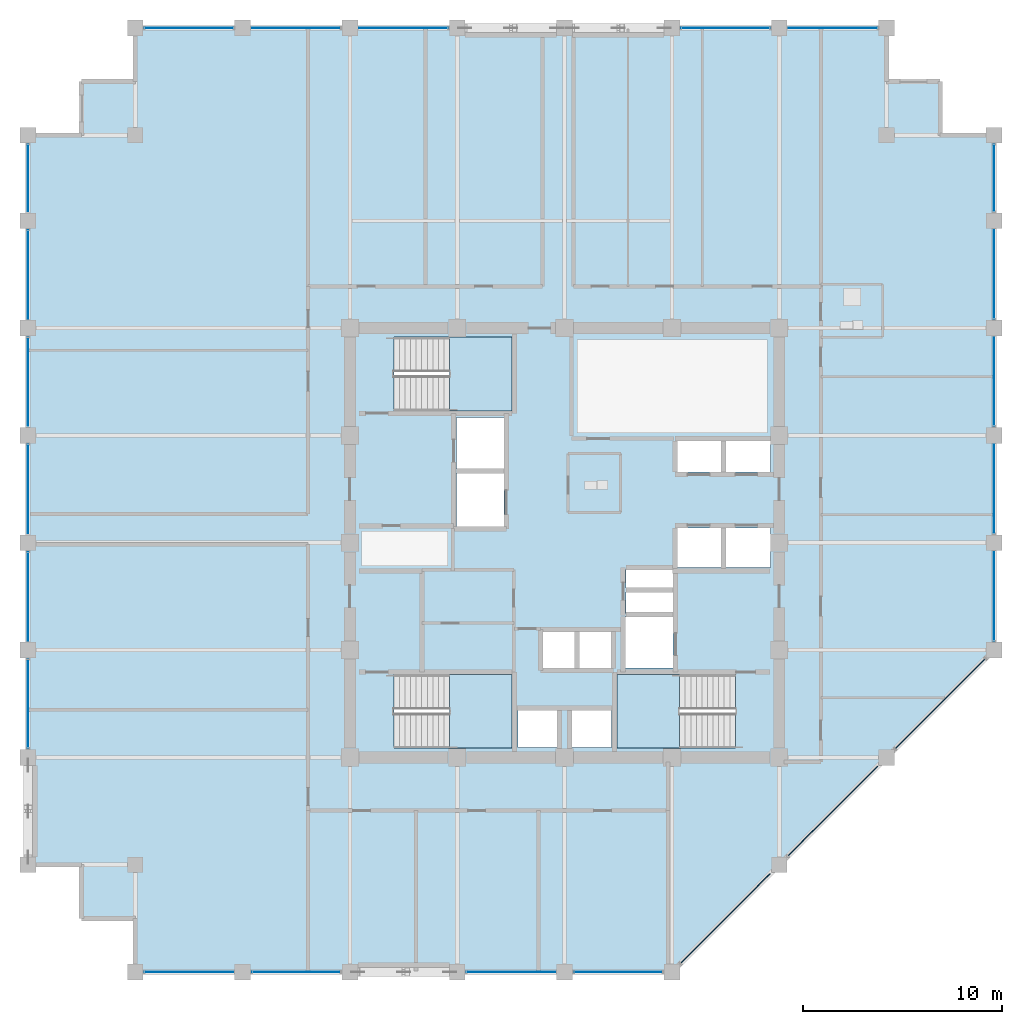
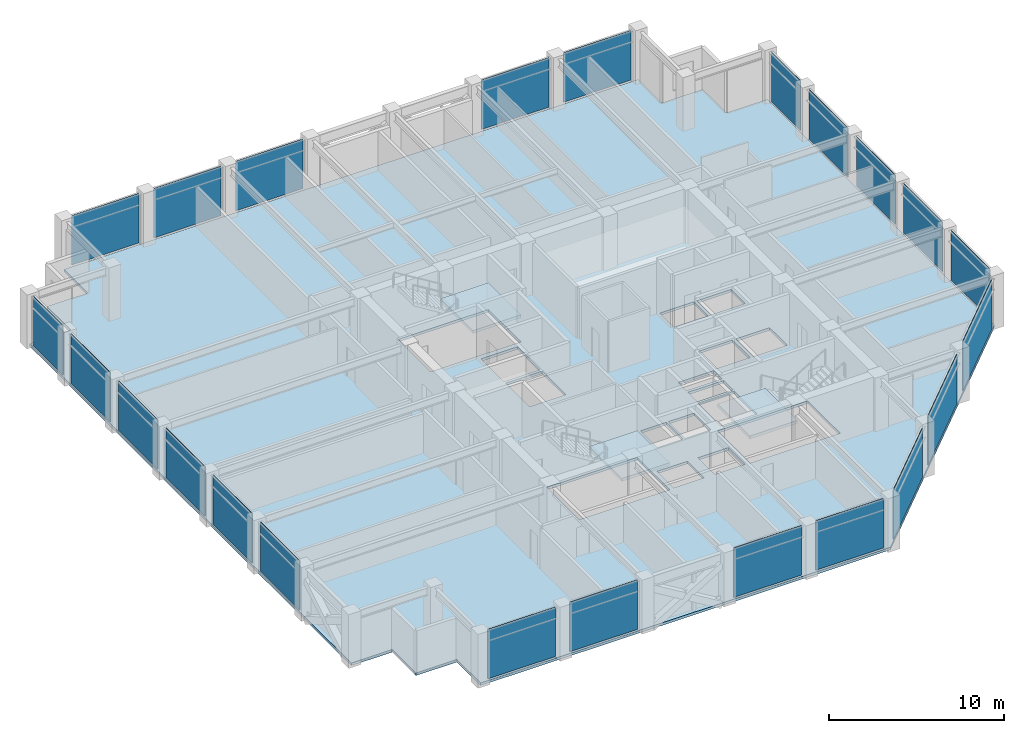
# One storey, part 26 of 32: 23 plates, 4 slabs, 10 elements without a shape of their own.
"""IFC4 building model written with IfcOpenShell, lengths in metres."""

import ifcopenshell
import ifcopenshell.guid

model = None  # the IFC model being written
_history = None  # IfcOwnerHistory: only IFC2X3 demands one
_inside = {}  # id of a spatial element -> (the spatial element, [elements in it])
_under = {}  # id of a project, library or spatial element -> (it, [spatial elements below it])
_declared = {}  # id of a project -> (the project, [libraries it declares])
_typed = {}  # id of a type object -> (the type object, [elements of that type])
_made_of = {}  # id of a material, layer set ... -> (it, [elements and type objects made of it])


def new_model(schema):
    """Start an empty IFC model of exactly this schema.

    Asked for "IFC4X3", IfcOpenShell would pick the latest addendum, in which some entities
    have other attributes; the version numbers below select the first issue.
    IFC2X3 requires an IfcOwnerHistory on every rooted entity: one is made here for all.
    """
    global model, _history
    if schema == "IFC4X3":
        model = ifcopenshell.file(schema_version=(4, 3, 0, 0))
    else:
        model = ifcopenshell.file(schema=schema)
    _inside.clear()
    _under.clear()
    _declared.clear()
    _typed.clear()
    _made_of.clear()
    _history = None
    if model.schema == "IFC2X3":
        org = make("IfcOrganization", Name="unknown")
        user = make(
            "IfcPersonAndOrganization",
            ThePerson=make("IfcPerson", FamilyName="unknown"),
            TheOrganization=org,
        )
        app = make(
            "IfcApplication",
            ApplicationDeveloper=org,
            Version="unknown",
            ApplicationFullName="unknown",
            ApplicationIdentifier="unknown",
        )
        _history = make(
            "IfcOwnerHistory",
            OwningUser=user,
            OwningApplication=app,
            ChangeAction="ADDED",
            CreationDate=0,
        )
    return model


def make(cls, **values):
    """One entity of the class cls with the attributes given. An attribute that is None is left unset."""
    return model.create_entity(
        cls, **{name: value for name, value in values.items() if value is not None}
    )


def rooted(cls, **values):
    """An entity with a GlobalId (a new one), such as an element, a storey or a relation."""
    return make(cls, GlobalId=ifcopenshell.guid.new(), OwnerHistory=_history, **values)


def si_unit(unit_type, name, prefix=None):
    """IfcSIUnit, for example si_unit("LENGTHUNIT", "METRE", prefix="MILLI")."""
    return make("IfcSIUnit", UnitType=unit_type, Prefix=prefix, Name=name)


def assignment(units):
    """IfcUnitAssignment: the units of a project."""
    return None if units is None else make("IfcUnitAssignment", Units=units)


def point(xyz):
    """IfcCartesianPoint."""
    return None if xyz is None else make("IfcCartesianPoint", Coordinates=xyz)


def direction(xyz):
    """IfcDirection."""
    return None if xyz is None else make("IfcDirection", DirectionRatios=xyz)


def frame(location, z_axis=None, x_axis=None):
    """IfcAxis2Placement3D, a coordinate frame: its origin and axes. An axis left out is left unset."""
    return make(
        "IfcAxis2Placement3D",
        Location=point(location),
        Axis=direction(z_axis),
        RefDirection=direction(x_axis),
    )


def frame_2d(location, x_axis=None):
    """IfcAxis2Placement2D, a coordinate frame in the plane: its origin and x axis."""
    return make(
        "IfcAxis2Placement2D", Location=point(location), RefDirection=direction(x_axis)
    )


def origin():
    """The frame at (0, 0, 0) with its axes left unset."""
    return frame((0.0, 0.0, 0.0))


def place(relative_to, where):
    """IfcLocalPlacement: puts the frame where relative to a parent placement (None: the world)."""
    return make(
        "IfcLocalPlacement", PlacementRelTo=relative_to, RelativePlacement=where
    )


def context(
    kind, dimensions, precision=None, world=None, true_north=None, identifier=None
):
    """IfcGeometricRepresentationContext, for example the 3D "Model" context."""
    return make(
        "IfcGeometricRepresentationContext",
        ContextIdentifier=identifier,
        ContextType=kind,
        CoordinateSpaceDimension=dimensions,
        Precision=precision,
        WorldCoordinateSystem=world,
        TrueNorth=true_north,
    )


def subcontext(parent, identifier, kind, view, scale=None):
    """IfcGeometricRepresentationSubContext, for example "Body" below "Model"."""
    return make(
        "IfcGeometricRepresentationSubContext",
        ContextIdentifier=identifier,
        ContextType=kind,
        ParentContext=parent,
        TargetScale=scale,
        TargetView=view,
    )


def project(units=None, contexts=None):
    """IfcProject with its units and contexts."""
    return rooted(
        "IfcProject",
        Name="project",
        RepresentationContexts=contexts,
        UnitsInContext=assignment(units),
    )


def spatial(cls, under=None, at=None, **own):
    """A site, building, storey or space (cls), placed at a placement, below another one or the project."""
    s = rooted(cls, ObjectPlacement=at, **own)
    if under is not None:
        _under.setdefault(under.id(), (under, []))[1].append(s)
    return s


def polyline(points):
    """IfcPolyline through the points."""
    return make("IfcPolyline", Points=[point(p) for p in points])


def profile(cls, at=None, kind="AREA", **sizes):
    """A parametric profile (cls). Its sizes go by their IFC names, for example OverallWidth=200.0."""
    return make(cls, ProfileType=kind, Position=at, **sizes)


def rectangle(**sizes):
    """IfcRectangleProfileDef."""
    return profile("IfcRectangleProfileDef", **sizes)


def outline(outer, holes=None, kind="AREA"):
    """IfcArbitraryClosedProfileDef: a profile drawn as a closed curve; with holes, ...WithVoids."""
    if holes is None:
        return make("IfcArbitraryClosedProfileDef", ProfileType=kind, OuterCurve=outer)
    return make(
        "IfcArbitraryProfileDefWithVoids",
        ProfileType=kind,
        OuterCurve=outer,
        InnerCurves=holes,
    )


def extrude(swept, where, along, depth):
    """IfcExtrudedAreaSolid: the profile swept, set in the frame where, extruded along a direction by depth."""
    return make(
        "IfcExtrudedAreaSolid",
        SweptArea=swept,
        Position=where,
        ExtrudedDirection=direction(along),
        Depth=depth,
    )


def shape(context_of_items, identifier, shape_type, items):
    """IfcShapeRepresentation: the items that make up one representation, for example the "Body"."""
    return make(
        "IfcShapeRepresentation",
        ContextOfItems=context_of_items,
        RepresentationIdentifier=identifier,
        RepresentationType=shape_type,
        Items=items,
    )


def material(Name=None, Category=None):
    """IfcMaterial."""
    return make("IfcMaterial", Name=Name, Category=Category)


def layer(
    of_material, thickness, ventilated=None, Name=None, Category=None, Priority=None
):
    """IfcMaterialLayer: one layer of a wall or slab, of a material (None: an air gap)."""
    return make(
        "IfcMaterialLayer",
        Material=of_material,
        LayerThickness=thickness,
        IsVentilated=ventilated,
        Name=Name,
        Category=Category,
        Priority=Priority,
    )


def layer_set(layers, Name=None):
    """IfcMaterialLayerSet."""
    return make("IfcMaterialLayerSet", MaterialLayers=layers, LayerSetName=Name)


def made_of(thing, what):
    """Note that an element or type object is made of a material, layer set ...; save() writes the relation."""
    if what is not None:
        _made_of.setdefault(what.id(), (what, []))[1].append(thing)
    return thing


def type_object(cls, material=None, **own):
    """A type object (cls), such as IfcWallType, which elements share."""
    return made_of(rooted(cls, **own), material)


def element(
    cls,
    number,
    at=None,
    inside=None,
    cuts=None,
    type_object=None,
    material=None,
    context=None,
    identifier="Body",
    shape_type=None,
    held_by="IfcProductDefinitionShape",
    body=None,
    shapes=None,
    **own,
):
    """One element of the class cls, such as IfcWall. Its Tag is "e" and its number.

    at: its placement. inside: the storey or other place that contains it. cuts: it is an
    opening in that element (IfcRelVoidsElement). A single representation is given by context,
    identifier, shape_type and body (its items); several are given by shapes. held_by: the class
    of the entity that holds the representations. save() writes the other relations.
    """
    e = rooted(cls, Tag="e%d" % number, ObjectPlacement=at, **own)
    if body is not None:
        shapes = [shape(context, identifier, shape_type, body)]
    if shapes is not None:
        e.Representation = make(held_by, Representations=shapes)
    if inside is not None:
        _inside.setdefault(inside.id(), (inside, []))[1].append(e)
    if cuts is not None:
        rooted(
            "IfcRelVoidsElement", RelatingBuildingElement=cuts, RelatedOpeningElement=e
        )
    if type_object is not None:
        _typed.setdefault(type_object.id(), (type_object, []))[1].append(e)
    return made_of(e, material)


def aggregate(whole, parts):
    """IfcRelAggregates: a whole, such as a stair, and the parts it consists of."""
    return rooted("IfcRelAggregates", RelatingObject=whole, RelatedObjects=parts)


def save(model, path):
    """Write the relations noted so far, then the file.

    IfcRelAggregates (storeys below a building ...), IfcRelContainedInSpatialStructure (elements
    in a storey), IfcRelDefinesByType, IfcRelAssociatesMaterial and IfcRelDeclares: one each for
    every whole, place, type object, material and project.
    """
    for whole, parts in _under.values():
        aggregate(whole, parts)
    for where, things in _inside.values():
        rooted(
            "IfcRelContainedInSpatialStructure",
            RelatedElements=things,
            RelatingStructure=where,
        )
    for kind, things in _typed.values():
        rooted("IfcRelDefinesByType", RelatedObjects=things, RelatingType=kind)
    for what, things in _made_of.values():
        rooted("IfcRelAssociatesMaterial", RelatedObjects=things, RelatingMaterial=what)
    for by, libraries in _declared.values():
        rooted("IfcRelDeclares", RelatingContext=by, RelatedDefinitions=libraries)
    model.write(path)


model = new_model("IFC4")

# Units and contexts
model_context = context("Model", 3, precision=1e-05, world=origin(), true_north=direction((0.0, 1.0)))
body_context = subcontext(model_context, "Body", "Model", "MODEL_VIEW")
ifc_project = project(units=[si_unit("LENGTHUNIT", "METRE"), si_unit("AREAUNIT", "SQUARE_METRE"), si_unit("VOLUMEUNIT", "CUBIC_METRE"), si_unit("PLANEANGLEUNIT", "RADIAN"), si_unit("MASSUNIT", "GRAM", prefix="KILO")], contexts=[model_context])

# Site, building, storey
site_placement = place(None, origin())
site = spatial("IfcSite", under=ifc_project, at=site_placement, CompositionType="ELEMENT")
building_placement = place(site_placement, origin())
building = spatial("IfcBuilding", under=site, at=building_placement, Name="Surkhivell Harbour Commons", CompositionType="ELEMENT")
storey_placement = place(building_placement, frame((0.0, 0.0, 219.75)))
storey = spatial("IfcBuildingStorey", under=building, at=storey_placement, Name="L57", CompositionType="ELEMENT", Elevation=219.75)

# Curtain wall, plates
ifc_material_1 = material(Name="Anodised pale-metal aluminium and insulated glazing", Category="aluminium")
ifc_layer_1 = layer(ifc_material_1, 0.18994140625)
ifc_layer_set_1 = layer_set([ifc_layer_1], Name="Anodised pale-metal aluminium and insulated glazing")
curtain_wall_type = type_object("IfcCurtainWallType", Name="CW-SYS-Z3", PredefinedType="NOTDEFINED", material=ifc_layer_set_1)
curtain_wall_1_placement = place(storey_placement, origin())
curtain_wall_1 = element("IfcCurtainWall", 1, at=curtain_wall_1_placement, inside=storey, type_object=curtain_wall_type, Name="L57 Curtain Wall CW-L57-E00S1", PredefinedType="NOTDEFINED")
ifc_material_2 = material(Name="High-pressure typhoon laminated vision glass", Category="glass")
ifc_layer_2 = layer(ifc_material_2, 0.035888671875)
ifc_layer_set_2 = layer_set([ifc_layer_2], Name="High-pressure typhoon laminated vision glass")
plate_type = type_object("IfcPlateType", Name="CWP-GLZ-36", PredefinedType="CURTAIN_PANEL", material=ifc_layer_set_2)
plate_1_placement = place(storey_placement, frame((-21.123046875, -21.60009765625, 0.1298828125), z_axis=(0.0, 0.0, 1.0), x_axis=(1.0, 0.0, 0.0)))
plate_1 = element("IfcPlate", 2, at=plate_1_placement, type_object=plate_type, Name="CW-Z3 panel 1.1", PredefinedType="CURTAIN_PANEL", context=body_context, shape_type="SweptSolid", body=[
    extrude(rectangle(XDim=4.446044921875, YDim=0.035888671875, at=frame_2d((2.22314453125, 0.0))), origin(), (0.0, 0.0, 1.0), 3.440185546875),
])
plate_2_placement = place(storey_placement, frame((-15.722900390625, -21.60009765625, 0.1298828125), z_axis=(0.0, 0.0, 1.0), x_axis=(1.0, 0.0, 0.0)))
plate_2 = element("IfcPlate", 3, at=plate_2_placement, type_object=plate_type, Name="CW-Z3 panel 2.1", PredefinedType="CURTAIN_PANEL", context=body_context, shape_type="SweptSolid", body=[
    extrude(rectangle(XDim=4.44580078125, YDim=0.035888671875, at=frame_2d((2.222900390625, 0.0))), origin(), (0.0, 0.0, 1.0), 3.440185546875),
])
aggregate(curtain_wall_1, [plate_1, plate_2])

curtain_wall_2_placement = place(storey_placement, origin())
curtain_wall_2 = element("IfcCurtainWall", 4, at=curtain_wall_2_placement, inside=storey, type_object=curtain_wall_type, Name="L57 Curtain Wall CW-L57-E00S2", PredefinedType="NOTDEFINED")
plate_3_placement = place(storey_placement, frame((-4.923095703125, -21.60009765625, 0.1298828125), z_axis=(0.0, 0.0, 1.0), x_axis=(1.0, 0.0, 0.0)))
plate_3 = element("IfcPlate", 5, at=plate_3_placement, type_object=plate_type, Name="CW-Z3 panel 1.1", PredefinedType="CURTAIN_PANEL", context=body_context, shape_type="SweptSolid", body=[
    extrude(rectangle(XDim=4.446044921875, YDim=0.035888671875, at=frame_2d((2.22314453125, 0.0))), origin(), (0.0, 0.0, 1.0), 3.440185546875),
])
plate_4_placement = place(storey_placement, frame((0.47705078125, -21.60009765625, 0.1298828125), z_axis=(0.0, 0.0, 1.0), x_axis=(1.0, 0.0, 0.0)))
plate_4 = element("IfcPlate", 6, at=plate_4_placement, type_object=plate_type, Name="CW-Z3 panel 2.1", PredefinedType="CURTAIN_PANEL", context=body_context, shape_type="SweptSolid", body=[
    extrude(rectangle(XDim=4.446044921875, YDim=0.035888671875, at=frame_2d((2.22314453125, 0.0))), origin(), (0.0, 0.0, 1.0), 3.440185546875),
])
aggregate(curtain_wall_2, [plate_3, plate_4])

curtain_wall_3_placement = place(storey_placement, origin())
curtain_wall_3 = element("IfcCurtainWall", 7, at=curtain_wall_3_placement, inside=storey, type_object=curtain_wall_type, Name="L57 Curtain Wall CW-L57-E01", PredefinedType="NOTDEFINED")
plate_5_placement = place(storey_placement, frame((5.854736328125, -21.145263671875, 0.1298828125), z_axis=(0.0, 0.0, 1.0), x_axis=(0.707106781187, 0.707106781187, 0.0)))
plate_5 = element("IfcPlate", 8, at=plate_5_placement, type_object=plate_type, Name="CW-Z3 panel 1.1", PredefinedType="CURTAIN_PANEL", context=body_context, shape_type="SweptSolid", body=[
    extrude(rectangle(XDim=6.3505859375, YDim=0.035888671875, at=frame_2d((3.17529296875, 0.0))), origin(), (0.0, 0.0, 1.0), 3.440185546875),
])
plate_6_placement = place(storey_placement, frame((11.254638671875, -15.745361328125, 0.1298828125), z_axis=(0.0, 0.0, 1.0), x_axis=(0.707106781187, 0.707106781187, 0.0)))
plate_6 = element("IfcPlate", 9, at=plate_6_placement, type_object=plate_type, Name="CW-Z3 panel 2.1", PredefinedType="CURTAIN_PANEL", context=body_context, shape_type="SweptSolid", body=[
    extrude(rectangle(XDim=6.350830078125, YDim=0.035888671875, at=frame_2d((3.17529296875, 0.0))), origin(), (0.0, 0.0, 1.0), 3.440185546875),
])
plate_7_placement = place(storey_placement, frame((16.65478515625, -10.34521484375, 0.1298828125), z_axis=(0.0, 0.0, 1.0), x_axis=(0.707106781187, 0.707106781187, 0.0)))
plate_7 = element("IfcPlate", 10, at=plate_7_placement, type_object=plate_type, Name="CW-Z3 panel 3.1", PredefinedType="CURTAIN_PANEL", context=body_context, shape_type="SweptSolid", body=[
    extrude(rectangle(XDim=6.3505859375, YDim=0.035888671875, at=frame_2d((3.17529296875, 0.0))), origin(), (0.0, 0.0, 1.0), 3.440185546875),
])
aggregate(curtain_wall_3, [plate_5, plate_6, plate_7])

curtain_wall_4_placement = place(storey_placement, origin())
curtain_wall_4 = element("IfcCurtainWall", 11, at=curtain_wall_4_placement, inside=storey, type_object=curtain_wall_type, Name="L57 Curtain Wall CW-L57-E02", PredefinedType="NOTDEFINED")
plate_8_placement = place(storey_placement, frame((21.60009765625, -4.923095703125, 0.1298828125), z_axis=(0.0, 0.0, 1.0), x_axis=(0.0, 1.0, 0.0)))
plate_8 = element("IfcPlate", 12, at=plate_8_placement, type_object=plate_type, Name="CW-Z3 panel 1.1", PredefinedType="CURTAIN_PANEL", context=body_context, shape_type="SweptSolid", body=[
    extrude(rectangle(XDim=4.446044921875, YDim=0.035888671875, at=frame_2d((2.22314453125, 0.0))), origin(), (0.0, 0.0, 1.0), 3.440185546875),
])
plate_9_placement = place(storey_placement, frame((21.60009765625, 0.47705078125, 0.1298828125), z_axis=(0.0, 0.0, 1.0), x_axis=(0.0, 1.0, 0.0)))
plate_9 = element("IfcPlate", 13, at=plate_9_placement, type_object=plate_type, Name="CW-Z3 panel 2.1", PredefinedType="CURTAIN_PANEL", context=body_context, shape_type="SweptSolid", body=[
    extrude(rectangle(XDim=4.446044921875, YDim=0.035888671875, at=frame_2d((2.22314453125, 0.0))), origin(), (0.0, 0.0, 1.0), 3.440185546875),
])
plate_10_placement = place(storey_placement, frame((21.60009765625, 5.876953125, 0.1298828125), z_axis=(0.0, 0.0, 1.0), x_axis=(0.0, 1.0, 0.0)))
plate_10 = element("IfcPlate", 14, at=plate_10_placement, type_object=plate_type, Name="CW-Z3 panel 3.1", PredefinedType="CURTAIN_PANEL", context=body_context, shape_type="SweptSolid", body=[
    extrude(rectangle(XDim=4.446044921875, YDim=0.035888671875, at=frame_2d((2.22314453125, 0.0))), origin(), (0.0, 0.0, 1.0), 3.440185546875),
])
plate_11_placement = place(storey_placement, frame((21.60009765625, 11.277099609375, 0.1298828125), z_axis=(0.0, 0.0, 1.0), x_axis=(0.0, 1.0, 0.0)))
plate_11 = element("IfcPlate", 15, at=plate_11_placement, type_object=plate_type, Name="CW-Z3 panel 4.1", PredefinedType="CURTAIN_PANEL", context=body_context, shape_type="SweptSolid", body=[
    extrude(rectangle(XDim=4.44580078125, YDim=0.035888671875, at=frame_2d((2.222900390625, 0.0))), origin(), (0.0, 0.0, 1.0), 3.440185546875),
])
plate_12_placement = place(storey_placement, frame((21.60009765625, 16.677001953125, 0.1298828125), z_axis=(0.0, 0.0, 1.0), x_axis=(0.0, 1.0, 0.0)))
plate_12 = element("IfcPlate", 16, at=plate_12_placement, type_object=plate_type, Name="CW-Z3 panel 5.1", PredefinedType="CURTAIN_PANEL", context=body_context, shape_type="SweptSolid", body=[
    extrude(rectangle(XDim=3.345947265625, YDim=0.035888671875, at=frame_2d((1.6728515625, 0.0))), origin(), (0.0, 0.0, 1.0), 3.440185546875),
])
aggregate(curtain_wall_4, [plate_8, plate_9, plate_10, plate_11, plate_12])

curtain_wall_5_placement = place(storey_placement, origin())
curtain_wall_5 = element("IfcCurtainWall", 17, at=curtain_wall_5_placement, inside=storey, type_object=curtain_wall_type, Name="L57 Curtain Wall CW-L57-E07S1", PredefinedType="NOTDEFINED")
plate_13_placement = place(storey_placement, frame((15.722900390625, 25.89990234375, 0.1298828125), z_axis=(0.0, 0.0, 1.0), x_axis=(-1.0, 0.0, 0.0)))
plate_13 = element("IfcPlate", 18, at=plate_13_placement, type_object=plate_type, Name="CW-Z3 panel 1.1", PredefinedType="CURTAIN_PANEL", context=body_context, shape_type="SweptSolid", body=[
    extrude(rectangle(XDim=4.44580078125, YDim=0.035888671875, at=frame_2d((2.222900390625, 0.0))), origin(), (0.0, 0.0, 1.0), 3.440185546875),
])
plate_14_placement = place(storey_placement, frame((10.322998046875, 25.89990234375, 0.1298828125), z_axis=(0.0, 0.0, 1.0), x_axis=(-1.0, 0.0, 0.0)))
plate_14 = element("IfcPlate", 19, at=plate_14_placement, type_object=plate_type, Name="CW-Z3 panel 2.1", PredefinedType="CURTAIN_PANEL", context=body_context, shape_type="SweptSolid", body=[
    extrude(rectangle(XDim=4.446044921875, YDim=0.035888671875, at=frame_2d((2.22314453125, 0.0))), origin(), (0.0, 0.0, 1.0), 3.440185546875),
])
aggregate(curtain_wall_5, [plate_13, plate_14])

curtain_wall_6_placement = place(storey_placement, origin())
curtain_wall_6 = element("IfcCurtainWall", 20, at=curtain_wall_6_placement, inside=storey, type_object=curtain_wall_type, Name="L57 Curtain Wall CW-L57-E07S2", PredefinedType="NOTDEFINED")
plate_15_placement = place(storey_placement, frame((-5.876953125, 25.89990234375, 0.1298828125), z_axis=(0.0, 0.0, 1.0), x_axis=(-1.0, 0.0, 0.0)))
plate_15 = element("IfcPlate", 21, at=plate_15_placement, type_object=plate_type, Name="CW-Z3 panel 1.1", PredefinedType="CURTAIN_PANEL", context=body_context, shape_type="SweptSolid", body=[
    extrude(rectangle(XDim=4.446044921875, YDim=0.035888671875, at=frame_2d((2.22314453125, 0.0))), origin(), (0.0, 0.0, 1.0), 3.440185546875),
])
plate_16_placement = place(storey_placement, frame((-11.277099609375, 25.89990234375, 0.1298828125), z_axis=(0.0, 0.0, 1.0), x_axis=(-1.0, 0.0, 0.0)))
plate_16 = element("IfcPlate", 22, at=plate_16_placement, type_object=plate_type, Name="CW-Z3 panel 2.1", PredefinedType="CURTAIN_PANEL", context=body_context, shape_type="SweptSolid", body=[
    extrude(rectangle(XDim=4.44580078125, YDim=0.035888671875, at=frame_2d((2.222900390625, 0.0))), origin(), (0.0, 0.0, 1.0), 3.440185546875),
])
plate_17_placement = place(storey_placement, frame((-16.677001953125, 25.89990234375, 0.1298828125), z_axis=(0.0, 0.0, 1.0), x_axis=(-1.0, 0.0, 0.0)))
plate_17 = element("IfcPlate", 23, at=plate_17_placement, type_object=plate_type, Name="CW-Z3 panel 3.1", PredefinedType="CURTAIN_PANEL", context=body_context, shape_type="SweptSolid", body=[
    extrude(rectangle(XDim=4.446044921875, YDim=0.035888671875, at=frame_2d((2.22314453125, 0.0))), origin(), (0.0, 0.0, 1.0), 3.440185546875),
])
aggregate(curtain_wall_6, [plate_15, plate_16, plate_17])

curtain_wall_7_placement = place(storey_placement, origin())
curtain_wall_7 = element("IfcCurtainWall", 24, at=curtain_wall_7_placement, inside=storey, type_object=curtain_wall_type, Name="L57 Curtain Wall CW-L57-E12S1", PredefinedType="NOTDEFINED")
plate_18_placement = place(storey_placement, frame((-27.0, 20.02294921875, 0.1298828125), z_axis=(0.0, 0.0, 1.0), x_axis=(0.0, -1.0, 0.0)))
plate_18 = element("IfcPlate", 25, at=plate_18_placement, type_object=plate_type, Name="CW-Z3 panel 1.1", PredefinedType="CURTAIN_PANEL", context=body_context, shape_type="SweptSolid", body=[
    extrude(rectangle(XDim=3.345947265625, YDim=0.035888671875, at=frame_2d((1.6728515625, 0.0))), origin(), (0.0, 0.0, 1.0), 3.440185546875),
])
plate_19_placement = place(storey_placement, frame((-27.0, 15.722900390625, 0.1298828125), z_axis=(0.0, 0.0, 1.0), x_axis=(0.0, -1.0, 0.0)))
plate_19 = element("IfcPlate", 26, at=plate_19_placement, type_object=plate_type, Name="CW-Z3 panel 2.1", PredefinedType="CURTAIN_PANEL", context=body_context, shape_type="SweptSolid", body=[
    extrude(rectangle(XDim=4.44580078125, YDim=0.035888671875, at=frame_2d((2.222900390625, 0.0))), origin(), (0.0, 0.0, 1.0), 3.440185546875),
])
plate_20_placement = place(storey_placement, frame((-27.0, 10.322998046875, 0.1298828125), z_axis=(0.0, 0.0, 1.0), x_axis=(0.0, -1.0, 0.0)))
plate_20 = element("IfcPlate", 27, at=plate_20_placement, type_object=plate_type, Name="CW-Z3 panel 3.1", PredefinedType="CURTAIN_PANEL", context=body_context, shape_type="SweptSolid", body=[
    extrude(rectangle(XDim=4.446044921875, YDim=0.035888671875, at=frame_2d((2.22314453125, 0.0))), origin(), (0.0, 0.0, 1.0), 3.440185546875),
])
plate_21_placement = place(storey_placement, frame((-27.0, 4.923095703125, 0.1298828125), z_axis=(0.0, 0.0, 1.0), x_axis=(0.0, -1.0, 0.0)))
plate_21 = element("IfcPlate", 28, at=plate_21_placement, type_object=plate_type, Name="CW-Z3 panel 4.1", PredefinedType="CURTAIN_PANEL", context=body_context, shape_type="SweptSolid", body=[
    extrude(rectangle(XDim=4.446044921875, YDim=0.035888671875, at=frame_2d((2.22314453125, 0.0))), origin(), (0.0, 0.0, 1.0), 3.440185546875),
])
plate_22_placement = place(storey_placement, frame((-27.0, -0.47705078125, 0.1298828125), z_axis=(0.0, 0.0, 1.0), x_axis=(0.0, -1.0, 0.0)))
plate_22 = element("IfcPlate", 29, at=plate_22_placement, type_object=plate_type, Name="CW-Z3 panel 5.1", PredefinedType="CURTAIN_PANEL", context=body_context, shape_type="SweptSolid", body=[
    extrude(rectangle(XDim=4.446044921875, YDim=0.035888671875, at=frame_2d((2.22314453125, 0.0))), origin(), (0.0, 0.0, 1.0), 3.440185546875),
])
plate_23_placement = place(storey_placement, frame((-27.0, -5.876953125, 0.1298828125), z_axis=(0.0, 0.0, 1.0), x_axis=(0.0, -1.0, 0.0)))
plate_23 = element("IfcPlate", 30, at=plate_23_placement, type_object=plate_type, Name="CW-Z3 panel 6.1", PredefinedType="CURTAIN_PANEL", context=body_context, shape_type="SweptSolid", body=[
    extrude(rectangle(XDim=4.446044921875, YDim=0.035888671875, at=frame_2d((2.22314453125, 0.0))), origin(), (0.0, 0.0, 1.0), 3.440185546875),
])
aggregate(curtain_wall_7, [plate_18, plate_19, plate_20, plate_21, plate_22, plate_23])

# Stair, slab
ifc_material_3 = material(Name="Precast concrete C45/55", Category="concrete")
stair_type = type_object("IfcStairType", Name="STR-DL-375", PredefinedType="HALF_TURN_STAIR", material=ifc_material_3)
stair_1_placement = place(storey_placement, origin())
stair_1 = element("IfcStair", 31, at=stair_1_placement, inside=storey, type_object=stair_type, Name="L57 Core Exit Stair ST1", PredefinedType="HALF_TURN_STAIR")
ifc_material_4 = material(Name="Reinforced concrete C45/55", Category="concrete")
ifc_layer_3 = layer(ifc_material_4, 0.199951171875)
ifc_layer_set_3 = layer_set([ifc_layer_3], Name="Reinforced concrete C45/55")
slab_type_1 = type_object("IfcSlabType", Name="SLB-ST-LND200", PredefinedType="LANDING", material=ifc_layer_set_3)
slab_1_placement = place(storey_placement, frame((0.0, 0.0, 1.675048828125)))
slab_1 = element("IfcSlab", 32, at=slab_1_placement, type_object=slab_type_1, Name="ST1 landing 1", PredefinedType="LANDING", context=body_context, shape_type="SweptSolid", body=[
    extrude(outline(polyline([(-5.7900390625, 6.639892578125), (-2.639892578125, 6.639892578125), (-2.639892578125, 10.340087890625), (-5.7900390625, 10.340087890625), (-5.7900390625, 6.639892578125)])), origin(), (0.0, 0.0, 1.0), 0.199951171875),
])
aggregate(stair_1, [slab_1])

stair_2_placement = place(storey_placement, origin())
stair_2 = element("IfcStair", 33, at=stair_2_placement, inside=storey, type_object=stair_type, Name="L57 Core Exit Stair ST2", PredefinedType="HALF_TURN_STAIR")
slab_2_placement = place(storey_placement, frame((0.0, 0.0, 1.675048828125)))
slab_2 = element("IfcSlab", 34, at=slab_2_placement, type_object=slab_type_1, Name="ST2 landing 1", PredefinedType="LANDING", context=body_context, shape_type="SweptSolid", body=[
    extrude(outline(polyline([(5.7900390625, -6.639892578125), (2.639892578125, -6.639892578125), (2.639892578125, -10.340087890625), (5.7900390625, -10.340087890625), (5.7900390625, -6.639892578125)])), origin(), (0.0, 0.0, 1.0), 0.199951171875),
])
aggregate(stair_2, [slab_2])

stair_3_placement = place(storey_placement, origin())
stair_3 = element("IfcStair", 35, at=stair_3_placement, inside=storey, type_object=stair_type, Name="L57 Core Exit Stair ST3", PredefinedType="HALF_TURN_STAIR")
slab_3_placement = place(storey_placement, frame((0.0, 0.0, 1.675048828125)))
slab_3 = element("IfcSlab", 36, at=slab_3_placement, type_object=slab_type_1, Name="ST3 landing 1", PredefinedType="LANDING", context=body_context, shape_type="SweptSolid", body=[
    extrude(outline(polyline([(-5.7900390625, -10.340087890625), (-2.639892578125, -10.340087890625), (-2.639892578125, -6.639892578125), (-5.7900390625, -6.639892578125), (-5.7900390625, -10.340087890625)])), origin(), (0.0, 0.0, 1.0), 0.199951171875),
])
aggregate(stair_3, [slab_3])

# Slab
ifc_material_5 = material(Name="Concrete C45/55", Category="concrete")
ifc_layer_4 = layer(ifc_material_5, 0.179931640625)
ifc_layer_set_4 = layer_set([ifc_layer_4], Name="Concrete C45/55")
slab_type_2 = type_object("IfcSlabType", Name="SLB-TYP-180", PredefinedType="FLOOR", material=ifc_layer_set_4)
slab_4_placement = place(storey_placement, frame((0.0, 0.0, -0.179931640625)))
element("IfcSlab", 37, at=slab_4_placement, inside=storey, type_object=slab_type_2, Name="L57 Structural Floor Slab", PredefinedType="FLOOR", context=body_context, shape_type="SweptSolid", body=[
    extrude(outline(polyline([(-21.60009765625, -21.60009765625), (5.39990234375, -21.60009765625), (21.60009765625, -5.39990234375), (21.60009765625, 20.5), (18.89990234375, 20.5), (18.89990234375, 23.199951171875), (16.199951171875, 23.199951171875), (16.199951171875, 25.89990234375), (-21.60009765625, 25.89990234375), (-21.60009765625, 23.199951171875), (-24.300048828125, 23.199951171875), (-24.300048828125, 20.5), (-27.0, 20.5), (-27.0, -16.199951171875), (-24.300048828125, -16.199951171875), (-24.300048828125, -18.89990234375), (-21.60009765625, -18.89990234375), (-21.60009765625, -21.60009765625)]), holes=[polyline([(-8.590087890625, 6.639892578125), (-2.639892578125, 6.639892578125), (-2.639892578125, 10.340087890625), (-8.590087890625, 10.340087890625), (-8.590087890625, 6.639892578125)]), polyline([(8.590087890625, -6.639892578125), (2.639892578125, -6.639892578125), (2.639892578125, -10.340087890625), (8.590087890625, -10.340087890625), (8.590087890625, -6.639892578125)]), polyline([(-8.590087890625, -10.340087890625), (-2.639892578125, -10.340087890625), (-2.639892578125, -6.639892578125), (-8.590087890625, -6.639892578125), (-8.590087890625, -10.340087890625)]), polyline([(5.64990234375, 3.550048828125), (7.89990234375, 3.550048828125), (7.89990234375, 5.14990234375), (5.64990234375, 5.14990234375), (5.64990234375, 3.550048828125)]), polyline([(8.10009765625, 3.550048828125), (10.35009765625, 3.550048828125), (10.35009765625, 5.14990234375), (8.10009765625, 5.14990234375), (8.10009765625, 3.550048828125)]), polyline([(5.64990234375, -1.25), (7.89990234375, -1.25), (7.89990234375, 0.75), (5.64990234375, 0.75), (5.64990234375, -1.25)]), polyline([(8.10009765625, -1.25), (10.35009765625, -1.25), (10.35009765625, 0.75), (8.10009765625, 0.75), (8.10009765625, -1.25)]), polyline([(-1.14990234375, -6.35009765625), (0.550048828125, -6.35009765625), (0.550048828125, -4.449951171875), (-1.14990234375, -4.449951171875), (-1.14990234375, -6.35009765625)]), polyline([(0.679931640625, -6.35009765625), (2.3798828125, -6.35009765625), (2.3798828125, -4.449951171875), (0.679931640625, -4.449951171875), (0.679931640625, -6.35009765625)]), polyline([(-2.35009765625, -10.300048828125), (-0.35009765625, -10.300048828125), (-0.35009765625, -8.39990234375), (-2.35009765625, -8.39990234375), (-2.35009765625, -10.300048828125)]), polyline([(0.35009765625, -10.300048828125), (2.35009765625, -10.300048828125), (2.35009765625, -8.39990234375), (0.35009765625, -8.39990234375), (0.35009765625, -10.300048828125)]), polyline([(-5.449951171875, 3.699951171875), (-3.050048828125, 3.699951171875), (-3.050048828125, 6.300048828125), (-5.449951171875, 6.300048828125), (-5.449951171875, 3.699951171875)]), polyline([(3.050048828125, -6.300048828125), (5.449951171875, -6.300048828125), (5.449951171875, -3.699951171875), (3.050048828125, -3.699951171875), (3.050048828125, -6.300048828125)]), polyline([(-5.449951171875, 0.800048828125), (-3.050048828125, 0.800048828125), (-3.050048828125, 3.5), (-5.449951171875, 3.5), (-5.449951171875, 0.800048828125)]), polyline([(3.10009765625, -3.550048828125), (5.449951171875, -3.550048828125), (5.449951171875, -2.47998046875), (3.10009765625, -2.47998046875), (3.10009765625, -3.550048828125)]), polyline([(3.10009765625, -2.280029296875), (5.449951171875, -2.280029296875), (5.449951171875, -1.35009765625), (3.10009765625, -1.35009765625), (3.10009765625, -2.280029296875)])]), origin(), (0.0, 0.0, 1.0), 0.179931640625),
])

save(model, "model.ifc")
